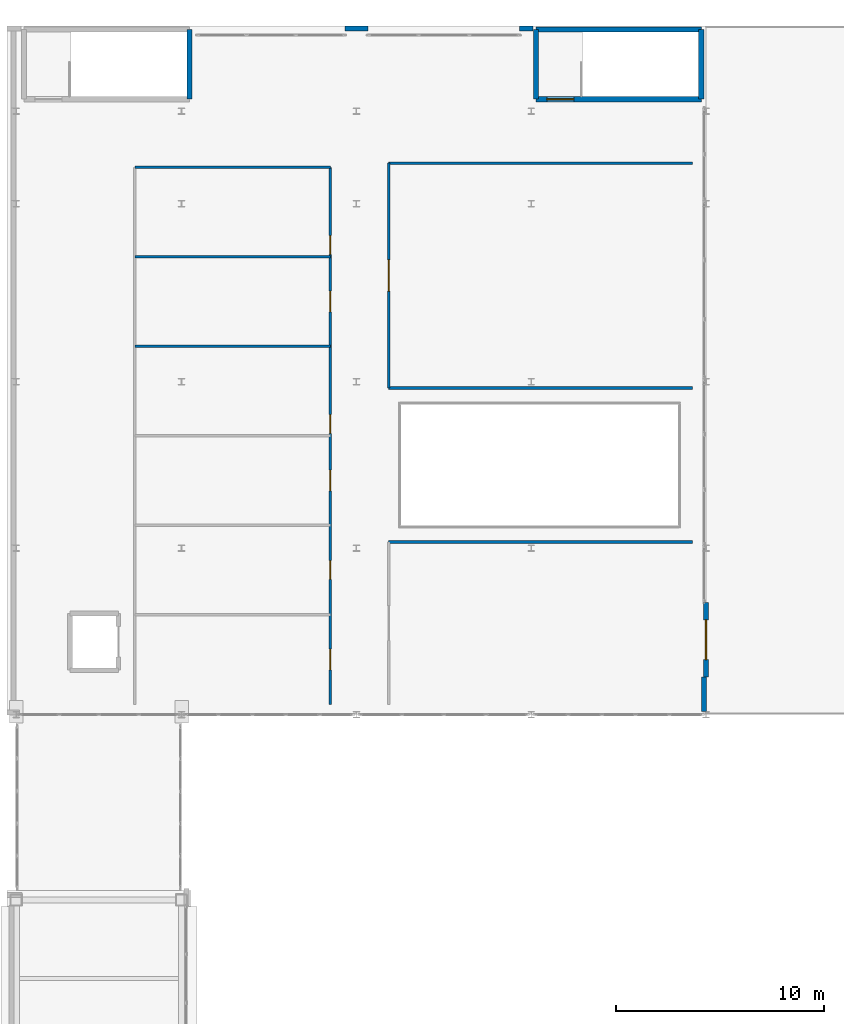
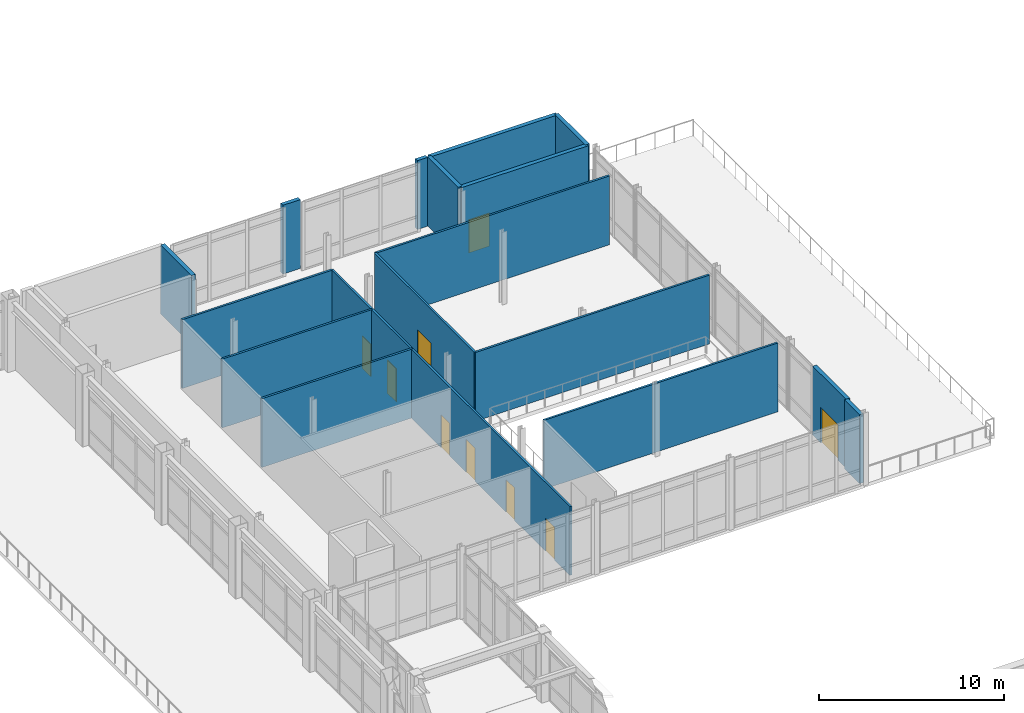
# One storey, part 135 of 154: 17 walls, 9 doors, 9 openings.
"""IFC4 building model written with IfcOpenShell, lengths in metres."""

import ifcopenshell
import ifcopenshell.guid

model = None  # the IFC model being written
_history = None  # IfcOwnerHistory: only IFC2X3 demands one
_inside = {}  # id of a spatial element -> (the spatial element, [elements in it])
_under = {}  # id of a project, library or spatial element -> (it, [spatial elements below it])
_declared = {}  # id of a project -> (the project, [libraries it declares])
_typed = {}  # id of a type object -> (the type object, [elements of that type])
_made_of = {}  # id of a material, layer set ... -> (it, [elements and type objects made of it])


def new_model(schema):
    """Start an empty IFC model of exactly this schema.

    Asked for "IFC4X3", IfcOpenShell would pick the latest addendum, in which some entities
    have other attributes; the version numbers below select the first issue.
    IFC2X3 requires an IfcOwnerHistory on every rooted entity: one is made here for all.
    """
    global model, _history
    if schema == "IFC4X3":
        model = ifcopenshell.file(schema_version=(4, 3, 0, 0))
    else:
        model = ifcopenshell.file(schema=schema)
    _inside.clear()
    _under.clear()
    _declared.clear()
    _typed.clear()
    _made_of.clear()
    _history = None
    if model.schema == "IFC2X3":
        org = make("IfcOrganization", Name="unknown")
        user = make(
            "IfcPersonAndOrganization",
            ThePerson=make("IfcPerson", FamilyName="unknown"),
            TheOrganization=org,
        )
        app = make(
            "IfcApplication",
            ApplicationDeveloper=org,
            Version="unknown",
            ApplicationFullName="unknown",
            ApplicationIdentifier="unknown",
        )
        _history = make(
            "IfcOwnerHistory",
            OwningUser=user,
            OwningApplication=app,
            ChangeAction="ADDED",
            CreationDate=0,
        )
    return model


def make(cls, **values):
    """One entity of the class cls with the attributes given. An attribute that is None is left unset."""
    return model.create_entity(
        cls, **{name: value for name, value in values.items() if value is not None}
    )


def rooted(cls, **values):
    """An entity with a GlobalId (a new one), such as an element, a storey or a relation."""
    return make(cls, GlobalId=ifcopenshell.guid.new(), OwnerHistory=_history, **values)


def si_unit(unit_type, name, prefix=None):
    """IfcSIUnit, for example si_unit("LENGTHUNIT", "METRE", prefix="MILLI")."""
    return make("IfcSIUnit", UnitType=unit_type, Prefix=prefix, Name=name)


def assignment(units):
    """IfcUnitAssignment: the units of a project."""
    return None if units is None else make("IfcUnitAssignment", Units=units)


def point(xyz):
    """IfcCartesianPoint."""
    return None if xyz is None else make("IfcCartesianPoint", Coordinates=xyz)


def direction(xyz):
    """IfcDirection."""
    return None if xyz is None else make("IfcDirection", DirectionRatios=xyz)


def frame(location, z_axis=None, x_axis=None):
    """IfcAxis2Placement3D, a coordinate frame: its origin and axes. An axis left out is left unset."""
    return make(
        "IfcAxis2Placement3D",
        Location=point(location),
        Axis=direction(z_axis),
        RefDirection=direction(x_axis),
    )


def frame_2d(location, x_axis=None):
    """IfcAxis2Placement2D, a coordinate frame in the plane: its origin and x axis."""
    return make(
        "IfcAxis2Placement2D", Location=point(location), RefDirection=direction(x_axis)
    )


def origin():
    """The frame at (0, 0, 0) with its axes left unset."""
    return frame((0.0, 0.0, 0.0))


def place(relative_to, where):
    """IfcLocalPlacement: puts the frame where relative to a parent placement (None: the world)."""
    return make(
        "IfcLocalPlacement", PlacementRelTo=relative_to, RelativePlacement=where
    )


def context(
    kind, dimensions, precision=None, world=None, true_north=None, identifier=None
):
    """IfcGeometricRepresentationContext, for example the 3D "Model" context."""
    return make(
        "IfcGeometricRepresentationContext",
        ContextIdentifier=identifier,
        ContextType=kind,
        CoordinateSpaceDimension=dimensions,
        Precision=precision,
        WorldCoordinateSystem=world,
        TrueNorth=true_north,
    )


def subcontext(parent, identifier, kind, view, scale=None):
    """IfcGeometricRepresentationSubContext, for example "Body" below "Model"."""
    return make(
        "IfcGeometricRepresentationSubContext",
        ContextIdentifier=identifier,
        ContextType=kind,
        ParentContext=parent,
        TargetScale=scale,
        TargetView=view,
    )


def project(units=None, contexts=None):
    """IfcProject with its units and contexts."""
    return rooted(
        "IfcProject",
        Name="project",
        RepresentationContexts=contexts,
        UnitsInContext=assignment(units),
    )


def spatial(cls, under=None, at=None, **own):
    """A site, building, storey or space (cls), placed at a placement, below another one or the project."""
    s = rooted(cls, ObjectPlacement=at, **own)
    if under is not None:
        _under.setdefault(under.id(), (under, []))[1].append(s)
    return s


def profile(cls, at=None, kind="AREA", **sizes):
    """A parametric profile (cls). Its sizes go by their IFC names, for example OverallWidth=200.0."""
    return make(cls, ProfileType=kind, Position=at, **sizes)


def rectangle(**sizes):
    """IfcRectangleProfileDef."""
    return profile("IfcRectangleProfileDef", **sizes)


def extrude(swept, where, along, depth):
    """IfcExtrudedAreaSolid: the profile swept, set in the frame where, extruded along a direction by depth."""
    return make(
        "IfcExtrudedAreaSolid",
        SweptArea=swept,
        Position=where,
        ExtrudedDirection=direction(along),
        Depth=depth,
    )


def shape(context_of_items, identifier, shape_type, items):
    """IfcShapeRepresentation: the items that make up one representation, for example the "Body"."""
    return make(
        "IfcShapeRepresentation",
        ContextOfItems=context_of_items,
        RepresentationIdentifier=identifier,
        RepresentationType=shape_type,
        Items=items,
    )


def material(Name=None, Category=None):
    """IfcMaterial."""
    return make("IfcMaterial", Name=Name, Category=Category)


def layer(
    of_material, thickness, ventilated=None, Name=None, Category=None, Priority=None
):
    """IfcMaterialLayer: one layer of a wall or slab, of a material (None: an air gap)."""
    return make(
        "IfcMaterialLayer",
        Material=of_material,
        LayerThickness=thickness,
        IsVentilated=ventilated,
        Name=Name,
        Category=Category,
        Priority=Priority,
    )


def layer_set(layers, Name=None):
    """IfcMaterialLayerSet."""
    return make("IfcMaterialLayerSet", MaterialLayers=layers, LayerSetName=Name)


def made_of(thing, what):
    """Note that an element or type object is made of a material, layer set ...; save() writes the relation."""
    if what is not None:
        _made_of.setdefault(what.id(), (what, []))[1].append(thing)
    return thing


def type_object(cls, material=None, **own):
    """A type object (cls), such as IfcWallType, which elements share."""
    return made_of(rooted(cls, **own), material)


def element(
    cls,
    number,
    at=None,
    inside=None,
    cuts=None,
    type_object=None,
    material=None,
    context=None,
    identifier="Body",
    shape_type=None,
    held_by="IfcProductDefinitionShape",
    body=None,
    shapes=None,
    **own,
):
    """One element of the class cls, such as IfcWall. Its Tag is "e" and its number.

    at: its placement. inside: the storey or other place that contains it. cuts: it is an
    opening in that element (IfcRelVoidsElement). A single representation is given by context,
    identifier, shape_type and body (its items); several are given by shapes. held_by: the class
    of the entity that holds the representations. save() writes the other relations.
    """
    e = rooted(cls, Tag="e%d" % number, ObjectPlacement=at, **own)
    if body is not None:
        shapes = [shape(context, identifier, shape_type, body)]
    if shapes is not None:
        e.Representation = make(held_by, Representations=shapes)
    if inside is not None:
        _inside.setdefault(inside.id(), (inside, []))[1].append(e)
    if cuts is not None:
        rooted(
            "IfcRelVoidsElement", RelatingBuildingElement=cuts, RelatedOpeningElement=e
        )
    if type_object is not None:
        _typed.setdefault(type_object.id(), (type_object, []))[1].append(e)
    return made_of(e, material)


def fill(opening, filler):
    """IfcRelFillsElement: the door or window that sits in an opening."""
    return rooted(
        "IfcRelFillsElement",
        RelatingOpeningElement=opening,
        RelatedBuildingElement=filler,
    )


def aggregate(whole, parts):
    """IfcRelAggregates: a whole, such as a stair, and the parts it consists of."""
    return rooted("IfcRelAggregates", RelatingObject=whole, RelatedObjects=parts)


def save(model, path):
    """Write the relations noted so far, then the file.

    IfcRelAggregates (storeys below a building ...), IfcRelContainedInSpatialStructure (elements
    in a storey), IfcRelDefinesByType, IfcRelAssociatesMaterial and IfcRelDeclares: one each for
    every whole, place, type object, material and project.
    """
    for whole, parts in _under.values():
        aggregate(whole, parts)
    for where, things in _inside.values():
        rooted(
            "IfcRelContainedInSpatialStructure",
            RelatedElements=things,
            RelatingStructure=where,
        )
    for kind, things in _typed.values():
        rooted("IfcRelDefinesByType", RelatedObjects=things, RelatingType=kind)
    for what, things in _made_of.values():
        rooted("IfcRelAssociatesMaterial", RelatedObjects=things, RelatingMaterial=what)
    for by, libraries in _declared.values():
        rooted("IfcRelDeclares", RelatingContext=by, RelatedDefinitions=libraries)
    model.write(path)


model = new_model("IFC4")

# Units and contexts
model_context = context("Model", 3, precision=1e-05, world=origin(), true_north=direction((0.0, 1.0)))
body_context = subcontext(model_context, "Body", "Model", "MODEL_VIEW")
ifc_project = project(units=[si_unit("LENGTHUNIT", "METRE"), si_unit("AREAUNIT", "SQUARE_METRE"), si_unit("VOLUMEUNIT", "CUBIC_METRE"), si_unit("PLANEANGLEUNIT", "RADIAN"), si_unit("MASSUNIT", "GRAM", prefix="KILO")], contexts=[model_context])

# Site, building, storey
site_placement = place(None, origin())
site = spatial("IfcSite", under=ifc_project, at=site_placement, CompositionType="ELEMENT")
building_placement = place(site_placement, origin())
building = spatial("IfcBuilding", under=site, at=building_placement, Name="Kazehara Bluff Congress Hotel", CompositionType="ELEMENT")
storey_placement = place(building_placement, frame((0.0, 0.0, 10.199951171875)))
storey = spatial("IfcBuildingStorey", under=building, at=storey_placement, Name="L02", CompositionType="ELEMENT", Elevation=10.199951171875)

# Walls
ifc_material_1 = material(Name="Concrete C40/50", Category="concrete")
ifc_layer_1 = layer(ifc_material_1, 0.25)
ifc_layer_set_1 = layer_set([ifc_layer_1], Name="Concrete C40/50")
wall_type_1 = type_object("IfcWallType", Name="TP-CW-RC", PredefinedType="SHEAR", material=ifc_layer_set_1)
for number, where, z_axis, x_axis, name in (
    (1, (68.02490234375, 113.824951171875, 0.0), (0.0, 0.0, 1.0), (0.0, -1.0, 0.0), "L02 ST-06 core wall far"),
    (2, (84.675048828125, 110.47509765625, 0.0), (0.0, 0.0, 1.0), (0.0, 1.0, 0.0), "L02 ST-07 core wall near"),
    (3, (92.625, 113.824951171875, 0.0), (0.0, 0.0, 1.0), (0.0, -1.0, 0.0), "L02 ST-07 core wall far"),
):
    element("IfcWall", number, at=place(storey_placement, frame(where, z_axis=z_axis, x_axis=x_axis)), inside=storey, type_object=wall_type_1, Name=name, PredefinedType="SHEAR", context=body_context, shape_type="SweptSolid", body=[
        extrude(rectangle(XDim=3.349853515625, YDim=0.25, at=frame_2d((1.6748046875, 0.0))), origin(), (0.0, 0.0, 1.0), 4.56005859375),
    ])

# Wall, opening, door
wall_1_placement = place(storey_placement, frame((92.625, 110.47509765625, 0.0), z_axis=(0.0, 0.0, 1.0), x_axis=(-1.0, 0.0, 0.0)))
wall_1 = element("IfcWall", 4, at=wall_1_placement, inside=storey, type_object=wall_type_1, Name="L02 ST-07 core wall left", PredefinedType="SHEAR", context=body_context, shape_type="SweptSolid", body=[
    extrude(rectangle(XDim=7.949951171875, YDim=0.25, at=frame_2d((3.97509765625, 0.0))), origin(), (0.0, 0.0, 1.0), 4.56005859375),
])
opening_1_placement = place(wall_1_placement, frame((6.125, 0.0, 0.0)))
opening_1 = element("IfcOpeningElement", 5, at=opening_1_placement, cuts=wall_1, Name="Opening FD-01", PredefinedType="OPENING", context=body_context, shape_type="SweptSolid", body=[
    extrude(rectangle(XDim=1.300048828125, YDim=2.199951171875, at=frame_2d((0.64990234375, 1.10009765625))), frame((0.0, 0.135009765625, 0.0), z_axis=(0.0, -1.0, 0.0), x_axis=(1.0, 0.0, 0.0)), (0.0, 0.0, 1.0), 0.27001953125),
])
ifc_material_2 = material(Name="Fire-rated painted steel leaf", Category="steel")
door_type_1 = type_object("IfcDoorType", Name="TP-FD-01", OperationType="NOTDEFINED", PredefinedType="DOOR", material=ifc_material_2)
door_1_placement = place(opening_1_placement, origin())
door_1 = element("IfcDoor", 6, at=door_1_placement, inside=storey, type_object=door_type_1, Name="L02 ST-07 fire stair door", OperationType="SINGLE_SWING_RIGHT", OverallHeight=2.199951171875, OverallWidth=1.300048828125, PredefinedType="DOOR", context=body_context, shape_type="SweptSolid", body=[
    extrude(rectangle(XDim=1.300048828125, YDim=2.199951171875, at=frame_2d((0.64990234375, 1.10009765625))), frame((0.0, 0.02490234375, 0.0), z_axis=(0.0, -1.0, 0.0), x_axis=(1.0, 0.0, 0.0)), (0.0, 0.0, 1.0), 0.050048828125),
])
fill(opening_1, door_1)

# Wall
wall_2_placement = place(storey_placement, frame((84.675048828125, 113.824951171875, 0.0), z_axis=(0.0, 0.0, 1.0), x_axis=(1.0, 0.0, 0.0)))
element("IfcWall", 7, at=wall_2_placement, inside=storey, type_object=wall_type_1, Name="L02 ST-07 core wall right", PredefinedType="SHEAR", context=body_context, shape_type="SweptSolid", body=[
    extrude(rectangle(XDim=7.949951171875, YDim=0.25, at=frame_2d((3.97509765625, 0.0))), origin(), (0.0, 0.0, 1.0), 4.56005859375),
])

# Wall, opening, door
ifc_material_3 = material(Name="Precast concrete C40/50", Category="concrete")
ifc_layer_2 = layer(ifc_material_3, 0.239990234375)
ifc_layer_set_2 = layer_set([ifc_layer_2], Name="Precast concrete C40/50")
wall_type_2 = type_object("IfcWallType", Name="TP-EW-240", PredefinedType="SOLIDWALL", material=ifc_layer_set_2)
wall_3_placement = place(storey_placement, frame((92.85009765625, 82.699951171875, 0.0), z_axis=(0.0, 0.0, 1.0), x_axis=(0.0, 1.0, 0.0)))
wall_3 = element("IfcWall", 8, at=wall_3_placement, inside=storey, type_object=wall_type_2, Name="Spa Bluff Sun Terrace access wall", PredefinedType="SOLIDWALL", context=body_context, shape_type="SweptSolid", body=[
    extrude(rectangle(XDim=3.60009765625, YDim=0.239990234375, at=frame_2d((1.800048828125, 0.0))), origin(), (0.0, 0.0, 1.0), 4.545166015625),
])
opening_2_placement = place(wall_3_placement, frame((0.85009765625, 0.0, 0.0)))
opening_2 = element("IfcOpeningElement", 9, at=opening_2_placement, cuts=wall_3, Name="Opening TD-02", PredefinedType="OPENING", context=body_context, shape_type="SweptSolid", body=[
    extrude(rectangle(XDim=1.89990234375, YDim=2.35009765625, at=frame_2d((0.949951171875, 1.175048828125))), frame((0.0, 0.1298828125, 0.0), z_axis=(0.0, -1.0, 0.0), x_axis=(1.0, 0.0, 0.0)), (0.0, 0.0, 1.0), 0.260009765625),
])
ifc_material_4 = material(Name="Anodised aluminium", Category="aluminium")
door_type_2 = type_object("IfcDoorType", Name="TP-TD-02", OperationType="SLIDING_TO_LEFT", PredefinedType="DOOR", material=ifc_material_4)
door_2_placement = place(opening_2_placement, origin())
door_2 = element("IfcDoor", 10, at=door_2_placement, inside=storey, type_object=door_type_2, Name="Spa Bluff Sun Terrace terrace door", OperationType="SLIDING_TO_LEFT", OverallHeight=2.35009765625, OverallWidth=1.89990234375, PredefinedType="DOOR", context=body_context, shape_type="SweptSolid", body=[
    extrude(rectangle(XDim=1.89990234375, YDim=2.35009765625, at=frame_2d((0.949951171875, 1.175048828125))), frame((0.0, 0.02490234375, 0.0), z_axis=(0.0, -1.0, 0.0), x_axis=(1.0, 0.0, 0.0)), (0.0, 0.0, 1.0), 0.050048828125),
])
fill(opening_2, door_2)

# Walls
wall_4_placement = place(storey_placement, frame((92.75, 82.699951171875, 0.0), z_axis=(0.0, 0.0, 1.0), x_axis=(0.0, -1.0, 0.0)))
element("IfcWall", 11, at=wall_4_placement, inside=storey, type_object=wall_type_2, Name="L02 V3 perimeter spandrel pier 632", PredefinedType="SOLIDWALL", context=body_context, shape_type="SweptSolid", body=[
    extrude(rectangle(XDim=1.64990234375, YDim=0.239990234375, at=frame_2d((0.824951171875, 0.0))), origin(), (0.0, 0.0, 1.0), 4.545166015625),
])
wall_5_placement = place(storey_placement, frame((75.5, 113.8798828125, 0.0), z_axis=(0.0, 0.0, 1.0), x_axis=(1.0, 0.0, 0.0)))
element("IfcWall", 12, at=wall_5_placement, inside=storey, type_object=wall_type_2, Name="L02 V3 perimeter spandrel pier 634", PredefinedType="SOLIDWALL", context=body_context, shape_type="SweptSolid", body=[
    extrude(rectangle(XDim=1.10009765625, YDim=0.239990234375, at=frame_2d((0.550048828125, 0.0))), origin(), (0.0, 0.0, 1.0), 4.545166015625),
])
wall_6_placement = place(storey_placement, frame((83.89990234375, 113.8798828125, 0.0), z_axis=(0.0, 0.0, 1.0), x_axis=(1.0, 0.0, 0.0)))
element("IfcWall", 13, at=wall_6_placement, inside=storey, type_object=wall_type_2, Name="L02 V3 perimeter spandrel pier 635", PredefinedType="SOLIDWALL", context=body_context, shape_type="SweptSolid", body=[
    extrude(rectangle(XDim=0.64013671875, YDim=0.239990234375, at=frame_2d((0.320068359375, 0.0))), origin(), (0.0, 0.0, 1.0), 4.545166015625),
])
ifc_material_5 = material(Name="Fire-rated gypsum board stud partition")
ifc_layer_3 = layer(ifc_material_5, 0.1298828125)
ifc_layer_set_3 = layer_set([ifc_layer_3], Name="Fire-rated gypsum board stud partition")
wall_type_3 = type_object("IfcWallType", Name="TP-PT-130", PredefinedType="PARTITIONING", material=ifc_layer_set_3)
for number, where, z_axis, x_axis, name in (
    (14, (77.60009765625, 89.199951171875, 0.0), (0.0, 0.0, 1.0), (1.0, 0.0, 0.0), "L02 partition PT-130 213"),
    (15, (77.60009765625, 96.60009765625, 0.0), (0.0, 0.0, 1.0), (1.0, 0.0, 0.0), "L02 partition PT-130 216"),
):
    element("IfcWall", number, at=place(storey_placement, frame(where, z_axis=z_axis, x_axis=x_axis)), inside=storey, type_object=wall_type_3, Name=name, PredefinedType="PARTITIONING", context=body_context, shape_type="SweptSolid", body=[
        extrude(rectangle(XDim=14.599853515625, YDim=0.1298828125, at=frame_2d((7.2998046875, 0.0))), origin(), (0.0, 0.0, 1.0), 4.545166015625),
    ])
for number, where, z_axis, x_axis, name in (
    (16, (65.39990234375, 98.60009765625, 0.0), (0.0, 0.0, 1.0), (1.0, 0.0, 0.0), "L02 partition PT-130 217"),
    (17, (65.39990234375, 102.89990234375, 0.0), (0.0, 0.0, 1.0), (1.0, 0.0, 0.0), "L02 partition PT-130 218"),
    (18, (65.39990234375, 107.199951171875, 0.0), (0.0, 0.0, 1.0), (1.0, 0.0, 0.0), "L02 partition PT-130 219"),
):
    element("IfcWall", number, at=place(storey_placement, frame(where, z_axis=z_axis, x_axis=x_axis)), inside=storey, type_object=wall_type_3, Name=name, PredefinedType="PARTITIONING", context=body_context, shape_type="SweptSolid", body=[
        extrude(rectangle(XDim=9.400146484375, YDim=0.1298828125, at=frame_2d((4.7001953125, 0.0))), origin(), (0.0, 0.0, 1.0), 4.545166015625),
    ])
wall_7_placement = place(storey_placement, frame((77.60009765625, 107.39990234375, 0.0), z_axis=(0.0, 0.0, 1.0), x_axis=(1.0, 0.0, 0.0)))
element("IfcWall", 19, at=wall_7_placement, inside=storey, type_object=wall_type_3, Name="L02 partition PT-130 220", PredefinedType="PARTITIONING", context=body_context, shape_type="SweptSolid", body=[
    extrude(rectangle(XDim=14.599853515625, YDim=0.1298828125, at=frame_2d((7.2998046875, 0.0))), origin(), (0.0, 0.0, 1.0), 4.545166015625),
])

# Wall, openings, doors
wall_8_placement = place(storey_placement, frame((74.800048828125, 81.39990234375, 0.0), z_axis=(0.0, 0.0, 1.0), x_axis=(0.0, 1.0, 0.0)))
wall_8 = element("IfcWall", 20, at=wall_8_placement, inside=storey, type_object=wall_type_3, Name="L02 partition PT-130 231", PredefinedType="PARTITIONING", context=body_context, shape_type="SweptSolid", body=[
    extrude(rectangle(XDim=25.800048828125, YDim=0.1298828125, at=frame_2d((12.89990234375, 0.0))), origin(), (0.0, 0.0, 1.0), 4.545166015625),
])
opening_3_placement = place(wall_8_placement, frame((1.64990234375, 0.0, 0.0)))
opening_3 = element("IfcOpeningElement", 21, at=opening_3_placement, cuts=wall_8, Name="Opening ID-03", PredefinedType="OPENING", context=body_context, shape_type="SweptSolid", body=[
    extrude(rectangle(XDim=1.0, YDim=2.179931640625, at=frame_2d((0.5, 1.08984375))), frame((0.0, 0.074951171875, 0.0), z_axis=(0.0, -1.0, 0.0), x_axis=(1.0, 0.0, 0.0)), (0.0, 0.0, 1.0), 0.14990234375),
])
opening_4_placement = place(wall_8_placement, frame((6.0, 0.0, 0.0)))
opening_4 = element("IfcOpeningElement", 22, at=opening_4_placement, cuts=wall_8, Name="Opening ID-01", PredefinedType="OPENING", context=body_context, shape_type="SweptSolid", body=[
    extrude(rectangle(XDim=0.89990234375, YDim=2.14990234375, at=frame_2d((0.449951171875, 1.074951171875))), frame((0.0, 0.074951171875, 0.0), z_axis=(0.0, -1.0, 0.0), x_axis=(1.0, 0.0, 0.0)), (0.0, 0.0, 1.0), 0.14990234375),
])
opening_5_placement = place(wall_8_placement, frame((10.25, 0.0, 0.0)))
opening_5 = element("IfcOpeningElement", 23, at=opening_5_placement, cuts=wall_8, Name="Opening ID-03", PredefinedType="OPENING", context=body_context, shape_type="SweptSolid", body=[
    extrude(rectangle(XDim=1.0, YDim=2.179931640625, at=frame_2d((0.5, 1.08984375))), frame((0.0, 0.074951171875, 0.0), z_axis=(0.0, -1.0, 0.0), x_axis=(1.0, 0.0, 0.0)), (0.0, 0.0, 1.0), 0.14990234375),
])
opening_6_placement = place(wall_8_placement, frame((13.02001953125, 0.0, 0.0)))
opening_6 = element("IfcOpeningElement", 24, at=opening_6_placement, cuts=wall_8, Name="Opening ID-01", PredefinedType="OPENING", context=body_context, shape_type="SweptSolid", body=[
    extrude(rectangle(XDim=0.89990234375, YDim=2.14990234375, at=frame_2d((0.449951171875, 1.074951171875))), frame((0.0, 0.074951171875, 0.0), z_axis=(0.0, -1.0, 0.0), x_axis=(1.0, 0.0, 0.0)), (0.0, 0.0, 1.0), 0.14990234375),
])
opening_7_placement = place(wall_8_placement, frame((18.85009765625, 0.0, 0.0)))
opening_7 = element("IfcOpeningElement", 25, at=opening_7_placement, cuts=wall_8, Name="Opening ID-03", PredefinedType="OPENING", context=body_context, shape_type="SweptSolid", body=[
    extrude(rectangle(XDim=1.0, YDim=2.179931640625, at=frame_2d((0.5, 1.08984375))), frame((0.0, 0.074951171875, 0.0), z_axis=(0.0, -1.0, 0.0), x_axis=(1.0, 0.0, 0.0)), (0.0, 0.0, 1.0), 0.14990234375),
])
opening_8_placement = place(wall_8_placement, frame((21.6201171875, 0.0, 0.0)))
opening_8 = element("IfcOpeningElement", 26, at=opening_8_placement, cuts=wall_8, Name="Opening ID-01", PredefinedType="OPENING", context=body_context, shape_type="SweptSolid", body=[
    extrude(rectangle(XDim=0.89990234375, YDim=2.14990234375, at=frame_2d((0.449951171875, 1.074951171875))), frame((0.0, 0.074951171875, 0.0), z_axis=(0.0, -1.0, 0.0), x_axis=(1.0, 0.0, 0.0)), (0.0, 0.0, 1.0), 0.14990234375),
])
ifc_material_6 = material(Name="Architectural oak veneer leaf")
door_type_3 = type_object("IfcDoorType", Name="TP-ID-01", OperationType="NOTDEFINED", PredefinedType="DOOR", material=ifc_material_6)
door_3_placement = place(opening_4_placement, origin())
door_3 = element("IfcDoor", 27, at=door_3_placement, inside=storey, type_object=door_type_3, Name="L02 Spa Treatment Suite 2 door", OperationType="SINGLE_SWING_LEFT", OverallHeight=2.14990234375, OverallWidth=0.89990234375, PredefinedType="DOOR", context=body_context, shape_type="SweptSolid", body=[
    extrude(rectangle(XDim=0.89990234375, YDim=2.14990234375, at=frame_2d((0.449951171875, 1.074951171875))), frame((0.0, 0.02490234375, 0.0), z_axis=(0.0, -1.0, 0.0), x_axis=(1.0, 0.0, 0.0)), (0.0, 0.0, 1.0), 0.050048828125),
])
fill(opening_4, door_3)
door_4_placement = place(opening_6_placement, origin())
door_4 = element("IfcDoor", 28, at=door_4_placement, inside=storey, type_object=door_type_3, Name="L02 Spa Treatment Suite 4 door", OperationType="SINGLE_SWING_LEFT", OverallHeight=2.14990234375, OverallWidth=0.89990234375, PredefinedType="DOOR", context=body_context, shape_type="SweptSolid", body=[
    extrude(rectangle(XDim=0.89990234375, YDim=2.14990234375, at=frame_2d((0.449951171875, 1.074951171875))), frame((0.0, 0.02490234375, 0.0), z_axis=(0.0, -1.0, 0.0), x_axis=(1.0, 0.0, 0.0)), (0.0, 0.0, 1.0), 0.050048828125),
])
fill(opening_6, door_4)
door_5_placement = place(opening_8_placement, origin())
door_5 = element("IfcDoor", 29, at=door_5_placement, inside=storey, type_object=door_type_3, Name="L02 Spa Treatment Suite 6 door", OperationType="SINGLE_SWING_LEFT", OverallHeight=2.14990234375, OverallWidth=0.89990234375, PredefinedType="DOOR", context=body_context, shape_type="SweptSolid", body=[
    extrude(rectangle(XDim=0.89990234375, YDim=2.14990234375, at=frame_2d((0.449951171875, 1.074951171875))), frame((0.0, 0.02490234375, 0.0), z_axis=(0.0, -1.0, 0.0), x_axis=(1.0, 0.0, 0.0)), (0.0, 0.0, 1.0), 0.050048828125),
])
fill(opening_8, door_5)
ifc_material_7 = material(Name="Architectural oak veneer leaf")
door_type_4 = type_object("IfcDoorType", Name="TP-ID-03", OperationType="NOTDEFINED", PredefinedType="DOOR", material=ifc_material_7)
door_6_placement = place(opening_3_placement, origin())
door_6 = element("IfcDoor", 30, at=door_6_placement, inside=storey, type_object=door_type_4, Name="L02 Spa Treatment Suite 1 door", OperationType="SINGLE_SWING_RIGHT", OverallHeight=2.179931640625, OverallWidth=1.0, PredefinedType="DOOR", context=body_context, shape_type="SweptSolid", body=[
    extrude(rectangle(XDim=1.0, YDim=2.179931640625, at=frame_2d((0.5, 1.08984375))), frame((0.0, 0.02490234375, 0.0), z_axis=(0.0, -1.0, 0.0), x_axis=(1.0, 0.0, 0.0)), (0.0, 0.0, 1.0), 0.050048828125),
])
fill(opening_3, door_6)
door_7_placement = place(opening_5_placement, origin())
door_7 = element("IfcDoor", 31, at=door_7_placement, inside=storey, type_object=door_type_4, Name="L02 Spa Treatment Suite 3 door", OperationType="SINGLE_SWING_RIGHT", OverallHeight=2.179931640625, OverallWidth=1.0, PredefinedType="DOOR", context=body_context, shape_type="SweptSolid", body=[
    extrude(rectangle(XDim=1.0, YDim=2.179931640625, at=frame_2d((0.5, 1.08984375))), frame((0.0, 0.02490234375, 0.0), z_axis=(0.0, -1.0, 0.0), x_axis=(1.0, 0.0, 0.0)), (0.0, 0.0, 1.0), 0.050048828125),
])
fill(opening_5, door_7)
door_8_placement = place(opening_7_placement, origin())
door_8 = element("IfcDoor", 32, at=door_8_placement, inside=storey, type_object=door_type_4, Name="L02 Spa Treatment Suite 5 door", OperationType="SINGLE_SWING_RIGHT", OverallHeight=2.179931640625, OverallWidth=1.0, PredefinedType="DOOR", context=body_context, shape_type="SweptSolid", body=[
    extrude(rectangle(XDim=1.0, YDim=2.179931640625, at=frame_2d((0.5, 1.08984375))), frame((0.0, 0.02490234375, 0.0), z_axis=(0.0, -1.0, 0.0), x_axis=(1.0, 0.0, 0.0)), (0.0, 0.0, 1.0), 0.050048828125),
])
fill(opening_7, door_8)

# Wall, opening, door
wall_9_placement = place(storey_placement, frame((77.60009765625, 96.60009765625, 0.0), z_axis=(0.0, 0.0, 1.0), x_axis=(0.0, 1.0, 0.0)))
wall_9 = element("IfcWall", 33, at=wall_9_placement, inside=storey, type_object=wall_type_3, Name="L02 partition PT-130 234", PredefinedType="PARTITIONING", context=body_context, shape_type="SweptSolid", body=[
    extrude(rectangle(XDim=10.7998046875, YDim=0.1298828125, at=frame_2d((5.39990234375, 0.0))), origin(), (0.0, 0.0, 1.0), 4.545166015625),
])
opening_9_placement = place(wall_9_placement, frame((4.64990234375, 0.0, 0.0)))
opening_9 = element("IfcOpeningElement", 34, at=opening_9_placement, cuts=wall_9, Name="Opening AD-01", PredefinedType="OPENING", context=body_context, shape_type="SweptSolid", body=[
    extrude(rectangle(XDim=1.5, YDim=2.300048828125, at=frame_2d((0.75, 1.14990234375))), frame((0.0, 0.074951171875, 0.0), z_axis=(0.0, -1.0, 0.0), x_axis=(1.0, 0.0, 0.0)), (0.0, 0.0, 1.0), 0.14990234375),
])
ifc_material_8 = material(Name="Architectural oak veneer leaf")
door_type_5 = type_object("IfcDoorType", Name="TP-AD-01", OperationType="DOUBLE_DOOR_SINGLE_SWING", PredefinedType="DOOR", material=ifc_material_8)
door_9_placement = place(opening_9_placement, origin())
door_9 = element("IfcDoor", 35, at=door_9_placement, inside=storey, type_object=door_type_5, Name="L02 Zen Mindful Yoga Studio door", OperationType="DOUBLE_DOOR_SINGLE_SWING", OverallHeight=2.300048828125, OverallWidth=1.5, PredefinedType="DOOR", context=body_context, shape_type="SweptSolid", body=[
    extrude(rectangle(XDim=1.5, YDim=2.300048828125, at=frame_2d((0.75, 1.14990234375))), frame((0.0, 0.02490234375, 0.0), z_axis=(0.0, -1.0, 0.0), x_axis=(1.0, 0.0, 0.0)), (0.0, 0.0, 1.0), 0.050048828125),
])
fill(opening_9, door_9)

save(model, "model.ifc")
